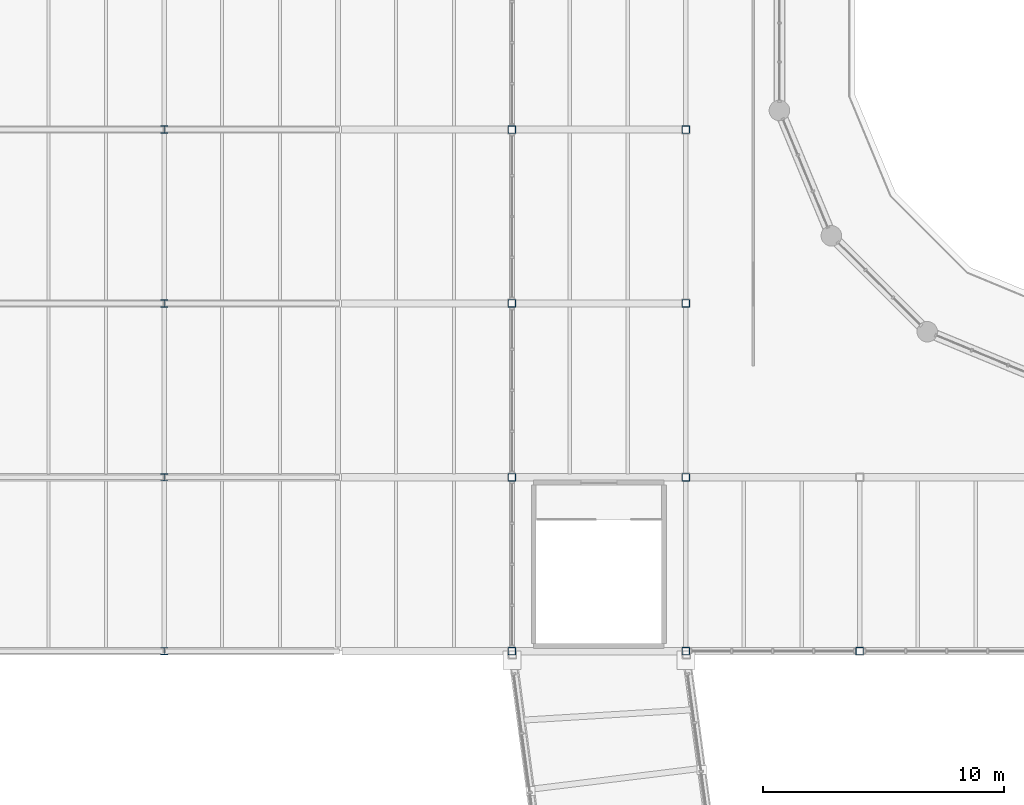
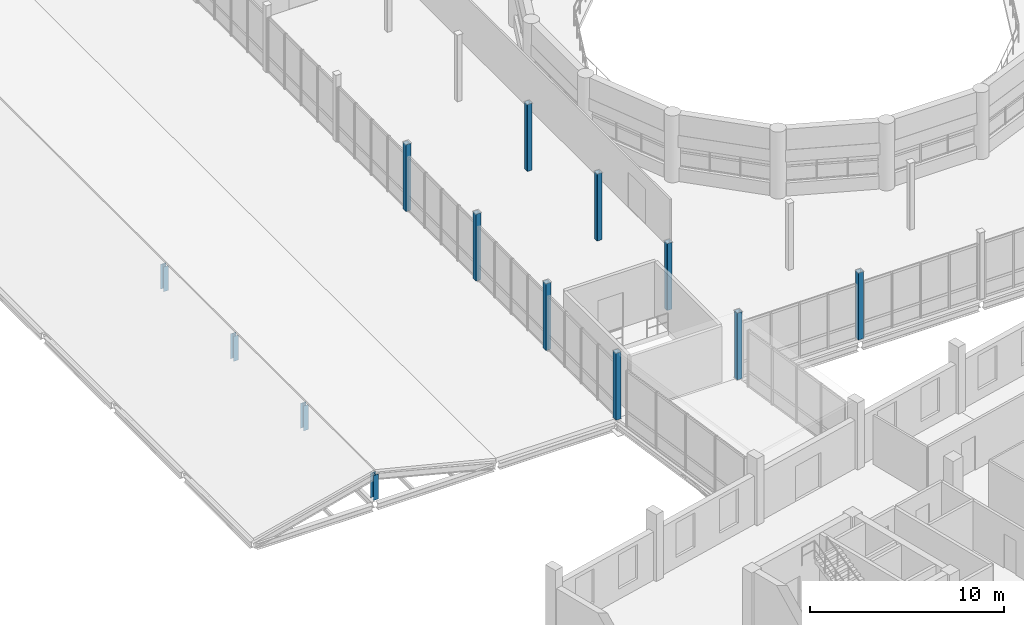
# One storey, part 2 of 63: 13 columns.
"""IFC4 building model written with IfcOpenShell, lengths in metres."""

from ifc_helpers import new_model, si_unit, direction, frame, origin, origin_2d, place, context, subcontext, project, spatial, hollow_rectangle, i_section, extrude, material, material_profile, profile_set, type_object, element, save


model = new_model("IFC4")

# Units and contexts
model_context = context("Model", 3, precision=1e-05, world=origin(), true_north=direction((0.0, 1.0)))
body_context = subcontext(model_context, "Body", "Model", "MODEL_VIEW")
ifc_project = project(units=[si_unit("LENGTHUNIT", "METRE"), si_unit("AREAUNIT", "SQUARE_METRE"), si_unit("VOLUMEUNIT", "CUBIC_METRE"), si_unit("PLANEANGLEUNIT", "RADIAN"), si_unit("MASSUNIT", "GRAM", prefix="KILO")], contexts=[model_context])

# Site, building, storey
site_placement = place(None, origin())
site = spatial("IfcSite", under=ifc_project, at=site_placement, CompositionType="ELEMENT")
building_placement = place(site_placement, origin())
building = spatial("IfcBuilding", under=site, at=building_placement, Name="Qiaolan Assembly House", CompositionType="ELEMENT")
storey_placement = place(building_placement, frame((0.0, 0.0, 14.39990234375)))
storey = spatial("IfcBuildingStorey", under=building, at=storey_placement, Name="L03", CompositionType="ELEMENT", Elevation=14.39990234375)

# Columns
ifc_material = material(Name="Steel Q355B", Category="steel")
ifc_material_profile_1 = material_profile(ifc_material, i_section(OverallWidth=0.300048828125, OverallDepth=0.300048828125, WebThickness=0.010009765625, FlangeThickness=0.014892578125, FilletRadius=0.01806640625, at=origin_2d()), Name="HW 300x300x10x15")
ifc_profile_set_1 = profile_set([ifc_material_profile_1], Name="Steel Q355B")
column_type_1 = type_object("IfcColumnType", Name="COL-STL-HW300", PredefinedType="COLUMN", material=ifc_profile_set_1)
for number, where, z_axis, x_axis, name in (
    (1, (28.800048828125, 36.0, 0.0), (0.0, 0.0, 1.0), (1.0, 0.0, 0.0), "SC-08 hall skylight ridge post L03"),
    (2, (28.800048828125, 43.199951171875, 0.0), (0.0, 0.0, 1.0), (1.0, 0.0, 0.0), "SC-08 hall skylight ridge post L03"),
    (3, (28.800048828125, 50.39990234375, 0.0), (0.0, 0.0, 1.0), (1.0, 0.0, 0.0), "SC-08 hall skylight ridge post L03"),
    (4, (28.800048828125, 57.60009765625, 0.0), (0.0, 0.0, 1.0), (1.0, 0.0, 0.0), "SC-08 hall skylight ridge post L03"),
):
    element("IfcColumn", number, at=place(storey_placement, frame(where, z_axis=z_axis, x_axis=x_axis)), inside=storey, type_object=column_type_1, Name=name, PredefinedType="COLUMN", context=body_context, shape_type="SweptSolid", body=[
        extrude(i_section(OverallWidth=0.300048828125, OverallDepth=0.300048828125, WebThickness=0.010009765625, FlangeThickness=0.014892578125, FilletRadius=0.01806640625, at=origin_2d()), origin(), (0.0, 0.0, 1.0), 1.565673828125),
    ])
ifc_material_profile_2 = material_profile(ifc_material, hollow_rectangle(XDim=0.31005859375, YDim=0.31005859375, WallThickness=0.011962890625, InnerFilletRadius=0.011962890625, OuterFilletRadius=0.02392578125, at=origin_2d()), Name="SHS 310x310x12")
ifc_profile_set_2 = profile_set([ifc_material_profile_2], Name="Steel Q355B")
column_type_2 = type_object("IfcColumnType", Name="COL-STL-SHS310", PredefinedType="COLUMN", material=ifc_profile_set_2)
for number, where, z_axis, x_axis, name in (
    (5, (43.199951171875, 36.0, 0.0), (0.0, 0.0, 1.0), (1.0, 0.0, 0.0), "SC-10 L03 hall concourse column"),
    (6, (43.199951171875, 43.199951171875, 0.0), (0.0, 0.0, 1.0), (1.0, 0.0, 0.0), "SC-10 L03 hall concourse column"),
    (7, (43.199951171875, 50.39990234375, 0.0), (0.0, 0.0, 1.0), (1.0, 0.0, 0.0), "SC-10 L03 hall concourse column"),
    (8, (43.199951171875, 57.60009765625, 0.0), (0.0, 0.0, 1.0), (1.0, 0.0, 0.0), "SC-10 L03 hall concourse column"),
    (9, (50.39990234375, 36.0, 0.0), (0.0, 0.0, 1.0), (1.0, 0.0, 0.0), "SC-10 L03 hall concourse column"),
    (10, (50.39990234375, 43.199951171875, 0.0), (0.0, 0.0, 1.0), (1.0, 0.0, 0.0), "SC-10 L03 hall concourse column"),
    (11, (50.39990234375, 50.39990234375, 0.0), (0.0, 0.0, 1.0), (1.0, 0.0, 0.0), "SC-10 L03 hall concourse column"),
    (12, (50.39990234375, 57.60009765625, 0.0), (0.0, 0.0, 1.0), (1.0, 0.0, 0.0), "SC-10 L03 hall concourse column"),
    (13, (57.60009765625, 36.0, 0.0), (0.0, 0.0, 1.0), (1.0, 0.0, 0.0), "SC-10 L03 hall concourse column"),
):
    element("IfcColumn", number, at=place(storey_placement, frame(where, z_axis=z_axis, x_axis=x_axis)), inside=storey, type_object=column_type_2, Name=name, PredefinedType="COLUMN", context=body_context, shape_type="SweptSolid", body=[
        extrude(hollow_rectangle(XDim=0.31005859375, YDim=0.31005859375, WallThickness=0.011962890625, InnerFilletRadius=0.011962890625, OuterFilletRadius=0.02392578125, at=origin_2d()), origin(), (0.0, 0.0, 1.0), 4.2001953125),
    ])

save(model, "model.ifc")
